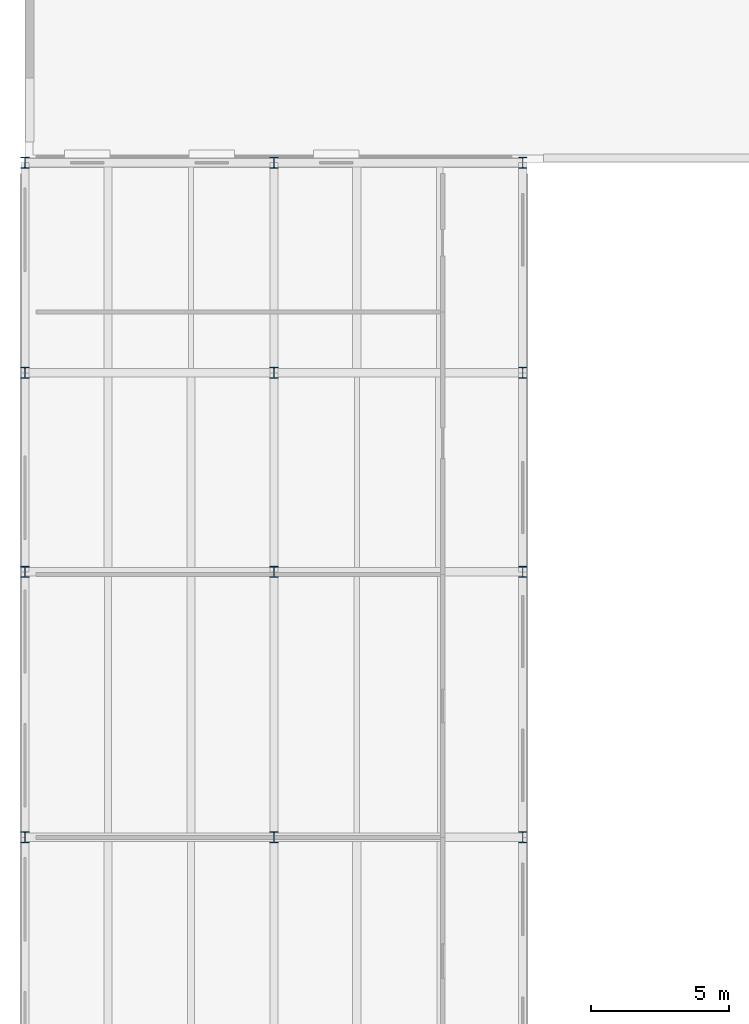
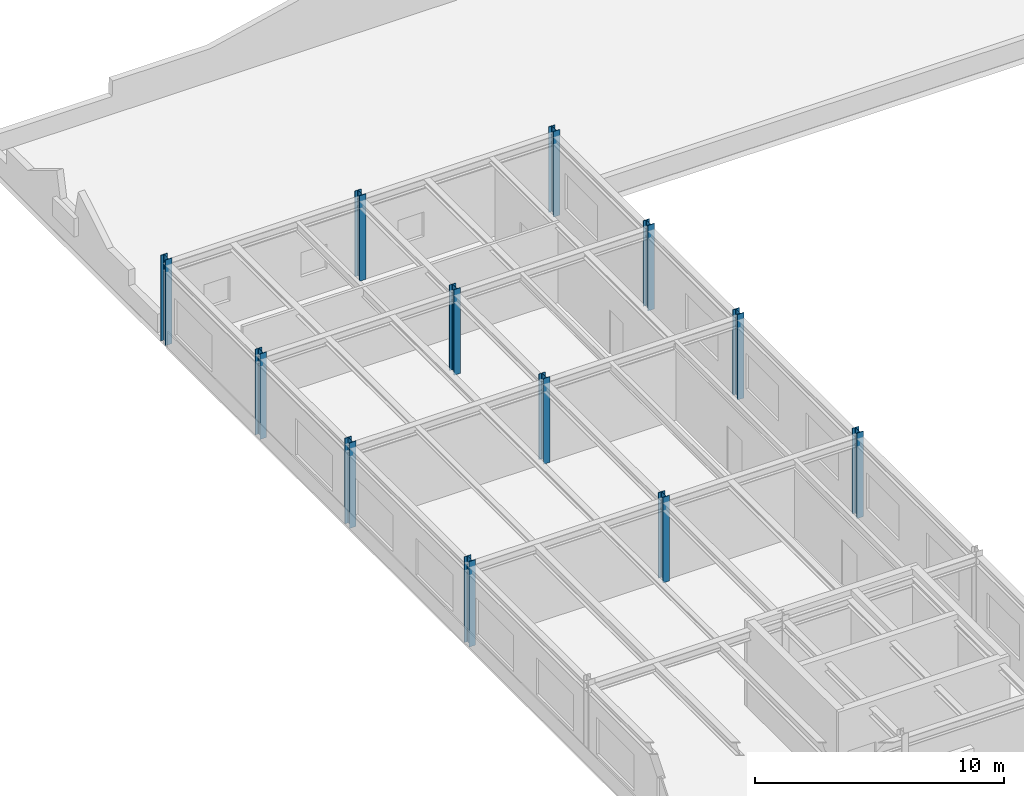
# One storey, part 6 of 69: 12 columns.
"""IFC4 building model written with IfcOpenShell, lengths in metres."""

import ifcopenshell
import ifcopenshell.guid

model = None  # the IFC model being written
_history = None  # IfcOwnerHistory: only IFC2X3 demands one
_inside = {}  # id of a spatial element -> (the spatial element, [elements in it])
_under = {}  # id of a project, library or spatial element -> (it, [spatial elements below it])
_declared = {}  # id of a project -> (the project, [libraries it declares])
_typed = {}  # id of a type object -> (the type object, [elements of that type])
_made_of = {}  # id of a material, layer set ... -> (it, [elements and type objects made of it])


def new_model(schema):
    """Start an empty IFC model of exactly this schema.

    Asked for "IFC4X3", IfcOpenShell would pick the latest addendum, in which some entities
    have other attributes; the version numbers below select the first issue.
    IFC2X3 requires an IfcOwnerHistory on every rooted entity: one is made here for all.
    """
    global model, _history
    if schema == "IFC4X3":
        model = ifcopenshell.file(schema_version=(4, 3, 0, 0))
    else:
        model = ifcopenshell.file(schema=schema)
    _inside.clear()
    _under.clear()
    _declared.clear()
    _typed.clear()
    _made_of.clear()
    _history = None
    if model.schema == "IFC2X3":
        org = make("IfcOrganization", Name="unknown")
        user = make(
            "IfcPersonAndOrganization",
            ThePerson=make("IfcPerson", FamilyName="unknown"),
            TheOrganization=org,
        )
        app = make(
            "IfcApplication",
            ApplicationDeveloper=org,
            Version="unknown",
            ApplicationFullName="unknown",
            ApplicationIdentifier="unknown",
        )
        _history = make(
            "IfcOwnerHistory",
            OwningUser=user,
            OwningApplication=app,
            ChangeAction="ADDED",
            CreationDate=0,
        )
    return model


def make(cls, **values):
    """One entity of the class cls with the attributes given. An attribute that is None is left unset."""
    return model.create_entity(
        cls, **{name: value for name, value in values.items() if value is not None}
    )


def rooted(cls, **values):
    """An entity with a GlobalId (a new one), such as an element, a storey or a relation."""
    return make(cls, GlobalId=ifcopenshell.guid.new(), OwnerHistory=_history, **values)


def si_unit(unit_type, name, prefix=None):
    """IfcSIUnit, for example si_unit("LENGTHUNIT", "METRE", prefix="MILLI")."""
    return make("IfcSIUnit", UnitType=unit_type, Prefix=prefix, Name=name)


def assignment(units):
    """IfcUnitAssignment: the units of a project."""
    return None if units is None else make("IfcUnitAssignment", Units=units)


def point(xyz):
    """IfcCartesianPoint."""
    return None if xyz is None else make("IfcCartesianPoint", Coordinates=xyz)


def direction(xyz):
    """IfcDirection."""
    return None if xyz is None else make("IfcDirection", DirectionRatios=xyz)


def frame(location, z_axis=None, x_axis=None):
    """IfcAxis2Placement3D, a coordinate frame: its origin and axes. An axis left out is left unset."""
    return make(
        "IfcAxis2Placement3D",
        Location=point(location),
        Axis=direction(z_axis),
        RefDirection=direction(x_axis),
    )


def frame_2d(location, x_axis=None):
    """IfcAxis2Placement2D, a coordinate frame in the plane: its origin and x axis."""
    return make(
        "IfcAxis2Placement2D", Location=point(location), RefDirection=direction(x_axis)
    )


def origin():
    """The frame at (0, 0, 0) with its axes left unset."""
    return frame((0.0, 0.0, 0.0))


def origin_2d():
    """The frame at (0, 0) in the plane with its x axis left unset."""
    return frame_2d((0.0, 0.0))


def place(relative_to, where):
    """IfcLocalPlacement: puts the frame where relative to a parent placement (None: the world)."""
    return make(
        "IfcLocalPlacement", PlacementRelTo=relative_to, RelativePlacement=where
    )


def context(
    kind, dimensions, precision=None, world=None, true_north=None, identifier=None
):
    """IfcGeometricRepresentationContext, for example the 3D "Model" context."""
    return make(
        "IfcGeometricRepresentationContext",
        ContextIdentifier=identifier,
        ContextType=kind,
        CoordinateSpaceDimension=dimensions,
        Precision=precision,
        WorldCoordinateSystem=world,
        TrueNorth=true_north,
    )


def subcontext(parent, identifier, kind, view, scale=None):
    """IfcGeometricRepresentationSubContext, for example "Body" below "Model"."""
    return make(
        "IfcGeometricRepresentationSubContext",
        ContextIdentifier=identifier,
        ContextType=kind,
        ParentContext=parent,
        TargetScale=scale,
        TargetView=view,
    )


def project(units=None, contexts=None):
    """IfcProject with its units and contexts."""
    return rooted(
        "IfcProject",
        Name="project",
        RepresentationContexts=contexts,
        UnitsInContext=assignment(units),
    )


def spatial(cls, under=None, at=None, **own):
    """A site, building, storey or space (cls), placed at a placement, below another one or the project."""
    s = rooted(cls, ObjectPlacement=at, **own)
    if under is not None:
        _under.setdefault(under.id(), (under, []))[1].append(s)
    return s


def profile(cls, at=None, kind="AREA", **sizes):
    """A parametric profile (cls). Its sizes go by their IFC names, for example OverallWidth=200.0."""
    return make(cls, ProfileType=kind, Position=at, **sizes)


def i_section(**sizes):
    """IfcIShapeProfileDef."""
    return profile("IfcIShapeProfileDef", **sizes)


def extrude(swept, where, along, depth):
    """IfcExtrudedAreaSolid: the profile swept, set in the frame where, extruded along a direction by depth."""
    return make(
        "IfcExtrudedAreaSolid",
        SweptArea=swept,
        Position=where,
        ExtrudedDirection=direction(along),
        Depth=depth,
    )


def shape(context_of_items, identifier, shape_type, items):
    """IfcShapeRepresentation: the items that make up one representation, for example the "Body"."""
    return make(
        "IfcShapeRepresentation",
        ContextOfItems=context_of_items,
        RepresentationIdentifier=identifier,
        RepresentationType=shape_type,
        Items=items,
    )


def material(Name=None, Category=None):
    """IfcMaterial."""
    return make("IfcMaterial", Name=Name, Category=Category)


def material_profile(
    of_material, cross_section, Name=None, Category=None, Priority=None
):
    """IfcMaterialProfile: a cross section and its material."""
    return make(
        "IfcMaterialProfile",
        Name=Name,
        Material=of_material,
        Profile=cross_section,
        Priority=Priority,
        Category=Category,
    )


def profile_set(profiles, Name=None, composite=None):
    """IfcMaterialProfileSet."""
    return make(
        "IfcMaterialProfileSet",
        Name=Name,
        MaterialProfiles=profiles,
        CompositeProfile=composite,
    )


def made_of(thing, what):
    """Note that an element or type object is made of a material, layer set ...; save() writes the relation."""
    if what is not None:
        _made_of.setdefault(what.id(), (what, []))[1].append(thing)
    return thing


def type_object(cls, material=None, **own):
    """A type object (cls), such as IfcWallType, which elements share."""
    return made_of(rooted(cls, **own), material)


def element(
    cls,
    number,
    at=None,
    inside=None,
    cuts=None,
    type_object=None,
    material=None,
    context=None,
    identifier="Body",
    shape_type=None,
    held_by="IfcProductDefinitionShape",
    body=None,
    shapes=None,
    **own,
):
    """One element of the class cls, such as IfcWall. Its Tag is "e" and its number.

    at: its placement. inside: the storey or other place that contains it. cuts: it is an
    opening in that element (IfcRelVoidsElement). A single representation is given by context,
    identifier, shape_type and body (its items); several are given by shapes. held_by: the class
    of the entity that holds the representations. save() writes the other relations.
    """
    e = rooted(cls, Tag="e%d" % number, ObjectPlacement=at, **own)
    if body is not None:
        shapes = [shape(context, identifier, shape_type, body)]
    if shapes is not None:
        e.Representation = make(held_by, Representations=shapes)
    if inside is not None:
        _inside.setdefault(inside.id(), (inside, []))[1].append(e)
    if cuts is not None:
        rooted(
            "IfcRelVoidsElement", RelatingBuildingElement=cuts, RelatedOpeningElement=e
        )
    if type_object is not None:
        _typed.setdefault(type_object.id(), (type_object, []))[1].append(e)
    return made_of(e, material)


def aggregate(whole, parts):
    """IfcRelAggregates: a whole, such as a stair, and the parts it consists of."""
    return rooted("IfcRelAggregates", RelatingObject=whole, RelatedObjects=parts)


def save(model, path):
    """Write the relations noted so far, then the file.

    IfcRelAggregates (storeys below a building ...), IfcRelContainedInSpatialStructure (elements
    in a storey), IfcRelDefinesByType, IfcRelAssociatesMaterial and IfcRelDeclares: one each for
    every whole, place, type object, material and project.
    """
    for whole, parts in _under.values():
        aggregate(whole, parts)
    for where, things in _inside.values():
        rooted(
            "IfcRelContainedInSpatialStructure",
            RelatedElements=things,
            RelatingStructure=where,
        )
    for kind, things in _typed.values():
        rooted("IfcRelDefinesByType", RelatedObjects=things, RelatingType=kind)
    for what, things in _made_of.values():
        rooted("IfcRelAssociatesMaterial", RelatedObjects=things, RelatingMaterial=what)
    for by, libraries in _declared.values():
        rooted("IfcRelDeclares", RelatingContext=by, RelatedDefinitions=libraries)
    model.write(path)


model = new_model("IFC4")

# Units and contexts
model_context = context("Model", 3, precision=1e-05, world=origin(), true_north=direction((0.0, 1.0)))
body_context = subcontext(model_context, "Body", "Model", "MODEL_VIEW")
ifc_project = project(units=[si_unit("LENGTHUNIT", "METRE"), si_unit("AREAUNIT", "SQUARE_METRE"), si_unit("VOLUMEUNIT", "CUBIC_METRE"), si_unit("PLANEANGLEUNIT", "RADIAN"), si_unit("MASSUNIT", "GRAM", prefix="KILO")], contexts=[model_context])

# Site, building, storey
site_placement = place(None, origin())
site = spatial("IfcSite", under=ifc_project, at=site_placement, CompositionType="ELEMENT")
building_placement = place(site_placement, origin())
building = spatial("IfcBuilding", under=site, at=building_placement, Name="Montealbar Specialist Clinic", CompositionType="ELEMENT")
storey_placement = place(building_placement, frame((0.0, 0.0, 9.60009765625)))
storey = spatial("IfcBuildingStorey", under=building, at=storey_placement, Name="L02", CompositionType="ELEMENT", Elevation=9.60009765625)

# Columns
ifc_material = material(Name="Steel S355", Category="steel")
ifc_material_profile_1 = material_profile(ifc_material, i_section(OverallWidth=0.300048828125, OverallDepth=0.39990234375, WebThickness=0.013427734375, FlangeThickness=0.02392578125, FilletRadius=0.027099609375, at=origin_2d()), Name="HEB 400", Category="steel")
ifc_profile_set_1 = profile_set([ifc_material_profile_1], Name="Steel S355")
column_type_1 = type_object("IfcColumnType", Name="COL-S-L02-STD", PredefinedType="COLUMN", material=ifc_profile_set_1)
for number, where, z_axis, x_axis, name in (
    (1, (9.0, 71.39990234375, 0.0), (0.0, 0.0, 1.0), (1.0, 0.0, 0.0), "Column 2/J L02"),
    (2, (9.0, 81.0, 0.0), (0.0, 0.0, 1.0), (1.0, 0.0, 0.0), "Column 2/K L02"),
    (3, (9.0, 88.199951171875, 0.0), (0.0, 0.0, 1.0), (1.0, 0.0, 0.0), "Column 2/L L02"),
):
    element("IfcColumn", number, at=place(storey_placement, frame(where, z_axis=z_axis, x_axis=x_axis)), inside=storey, type_object=column_type_1, Name=name, PredefinedType="COLUMN", context=body_context, shape_type="SweptSolid", body=[
        extrude(i_section(OverallWidth=0.300048828125, OverallDepth=0.39990234375, WebThickness=0.013427734375, FlangeThickness=0.02392578125, FilletRadius=0.027099609375, at=origin_2d()), origin(), (0.0, 0.0, 1.0), 4.199951171875),
    ])
ifc_material_profile_2 = material_profile(ifc_material, i_section(OverallWidth=0.300048828125, OverallDepth=0.39990234375, WebThickness=0.013427734375, FlangeThickness=0.02392578125, FilletRadius=0.027099609375, at=origin_2d()), Name="HEB 400", Category="steel")
ifc_profile_set_2 = profile_set([ifc_material_profile_2], Name="Steel S355")
column_type_2 = type_object("IfcColumnType", Name="COL-S-L02-STD-EXT", PredefinedType="COLUMN", material=ifc_profile_set_2)
for number, where, z_axis, x_axis, name in (
    (4, (0.0, 71.39990234375, 0.0), (0.0, 0.0, 1.0), (1.0, 0.0, 0.0), "Column 1/J L02"),
    (5, (0.0, 81.0, 0.0), (0.0, 0.0, 1.0), (1.0, 0.0, 0.0), "Column 1/K L02"),
    (6, (0.0, 88.199951171875, 0.0), (0.0, 0.0, 1.0), (1.0, 0.0, 0.0), "Column 1/L L02"),
    (7, (0.0, 95.800048828125, 0.0), (0.0, 0.0, 1.0), (1.0, 0.0, 0.0), "Column 1/M L02"),
    (8, (9.0, 95.800048828125, 0.0), (0.0, 0.0, 1.0), (1.0, 0.0, 0.0), "Column 2/M L02"),
    (9, (18.0, 71.39990234375, 0.0), (0.0, 0.0, 1.0), (1.0, 0.0, 0.0), "Column 3/J L02"),
    (10, (18.0, 81.0, 0.0), (0.0, 0.0, 1.0), (1.0, 0.0, 0.0), "Column 3/K L02"),
    (11, (18.0, 88.199951171875, 0.0), (0.0, 0.0, 1.0), (1.0, 0.0, 0.0), "Column 3/L L02"),
    (12, (18.0, 95.800048828125, 0.0), (0.0, 0.0, 1.0), (1.0, 0.0, 0.0), "Column 3/M L02"),
):
    element("IfcColumn", number, at=place(storey_placement, frame(where, z_axis=z_axis, x_axis=x_axis)), inside=storey, type_object=column_type_2, Name=name, PredefinedType="COLUMN", context=body_context, shape_type="SweptSolid", body=[
        extrude(i_section(OverallWidth=0.300048828125, OverallDepth=0.39990234375, WebThickness=0.013427734375, FlangeThickness=0.02392578125, FilletRadius=0.027099609375, at=origin_2d()), origin(), (0.0, 0.0, 1.0), 4.199951171875),
    ])

save(model, "model.ifc")
